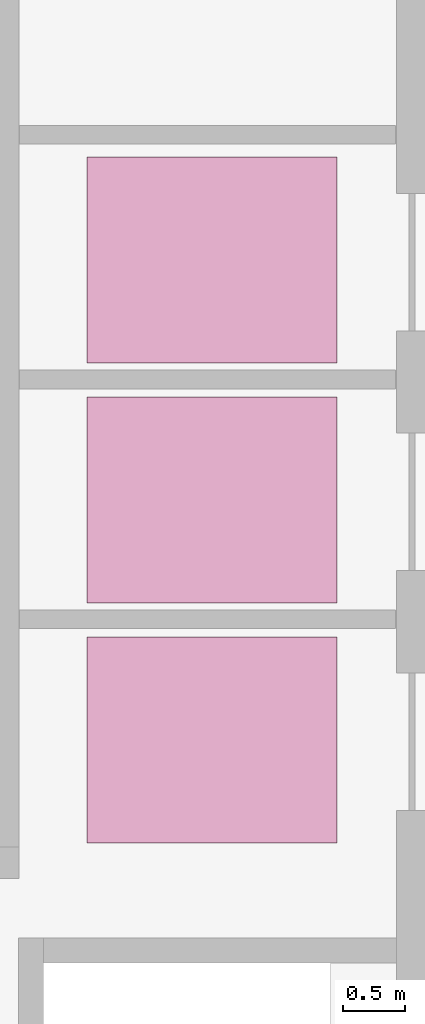
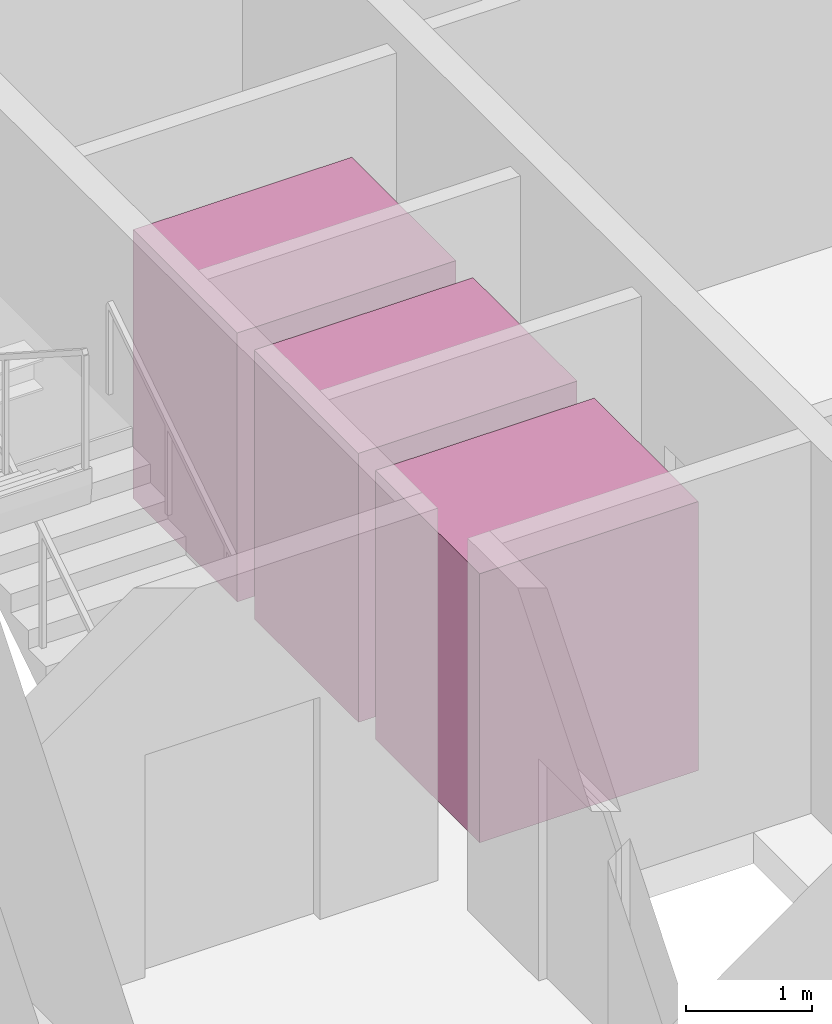
# One storey, part 29 of 29: 3 transport elements.
"""IFC4 building model written with IfcOpenShell, lengths in metres."""

from ifc_helpers import new_model, si_unit, direction, frame, origin, origin_2d, place, context, subcontext, project, spatial, rectangle, extrude, source, transform, mapped, material, type_object, element, save


model = new_model("IFC4")

# Units and contexts
model_context = context("Model", 3, precision=1e-05, world=origin(), true_north=direction((0.0, 1.0)))
body_context = subcontext(model_context, "Body", "Model", "MODEL_VIEW")
ifc_project = project(units=[si_unit("LENGTHUNIT", "METRE"), si_unit("AREAUNIT", "SQUARE_METRE"), si_unit("VOLUMEUNIT", "CUBIC_METRE"), si_unit("PLANEANGLEUNIT", "RADIAN"), si_unit("MASSUNIT", "GRAM", prefix="KILO")], contexts=[model_context])

# Site, building, storey
site_placement = place(None, origin())
site = spatial("IfcSite", under=ifc_project, at=site_placement, CompositionType="ELEMENT")
building_placement = place(site_placement, origin())
building = spatial("IfcBuilding", under=site, at=building_placement, Name="Sumidabori Civic Tower", CompositionType="ELEMENT")
storey_placement = place(building_placement, frame((0.0, 0.0, 131.60009765625)))
storey = spatial("IfcBuildingStorey", under=building, at=storey_placement, Name="L33", CompositionType="ELEMENT", Elevation=131.60009765625)

# Transport elements
ifc_material = material(Name="Stainless Steel Hairline Finish", Category="steel")
transport_element_type = type_object("IfcTransportElementType", Name="LF-HIGH-1600", PredefinedType="ELEVATOR", material=ifc_material)
shared_shape = source(origin(), body_context, "Body", "SweptSolid", [
    extrude(rectangle(XDim=2.0, YDim=1.64990234375, at=origin_2d()), origin(), (0.0, 0.0, 1.0), 2.60009765625),
])
for number, where, z_axis, x_axis, name in (
    (1, (-10.10009765625, 15.235107421875, -0.000244140625), (0.0, 0.0, 1.0), (1.0, 0.0, 0.0), "High-Rise Passenger Lift PL-H1"),
    (2, (-10.10009765625, 17.155029296875, -0.000244140625), (0.0, 0.0, 1.0), (1.0, 0.0, 0.0), "High-Rise Passenger Lift PL-H2"),
    (3, (-10.10009765625, 19.074951171875, -0.000244140625), (0.0, 0.0, 1.0), (1.0, 0.0, 0.0), "High-Rise Passenger Lift PL-H3"),
):
    element("IfcTransportElement", number, at=place(storey_placement, frame(where, z_axis=z_axis, x_axis=x_axis)), inside=storey, type_object=transport_element_type, Name=name, PredefinedType="ELEVATOR", context=body_context, shape_type="MappedRepresentation", body=[
        mapped(shared_shape, transform((0.0, 0.0, 0.0), x_axis=(1.0, 0.0, 0.0), y_axis=(0.0, 1.0, 0.0), z_axis=(0.0, 0.0, 1.0), scale=1.0)),
    ])

save(model, "model.ifc")
